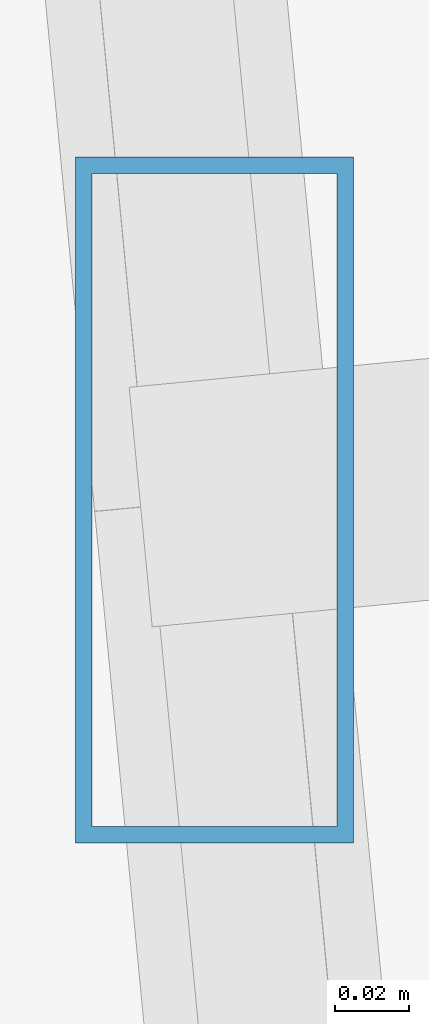
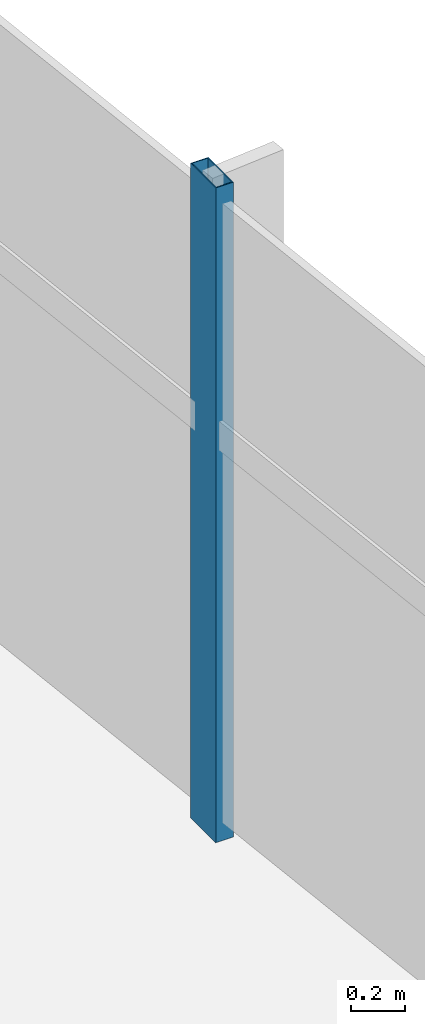
# One storey, part 16 of 27: 1 member, 1 element without a shape of its own.
"""IFC4 building model written with IfcOpenShell, lengths in metres."""

from ifc_helpers import new_model, si_unit, direction, frame, origin, origin_2d, place, context, subcontext, project, spatial, hollow_rectangle, extrude, source, transform, mapped, material, material_profile, profile_set, type_object, type_shapes, element, aggregate, save


model = new_model("IFC4")

# Units and contexts
model_context = context("Model", 3, precision=1e-05, world=origin(), true_north=direction((0.0, 1.0)))
body_context = subcontext(model_context, "Body", "Model", "MODEL_VIEW")
ifc_project = project(units=[si_unit("LENGTHUNIT", "METRE"), si_unit("AREAUNIT", "SQUARE_METRE"), si_unit("VOLUMEUNIT", "CUBIC_METRE"), si_unit("PLANEANGLEUNIT", "RADIAN"), si_unit("MASSUNIT", "GRAM", prefix="KILO")], contexts=[model_context])

# Site, building, storey
site_placement = place(None, origin())
site = spatial("IfcSite", under=ifc_project, at=site_placement, CompositionType="ELEMENT")
building_placement = place(site_placement, origin())
building = spatial("IfcBuilding", under=site, at=building_placement, Name="Astriad Promenade Condominiums", CompositionType="ELEMENT")
storey_placement = place(building_placement, frame((0.0, 0.0, 87.39990234375)))
storey = spatial("IfcBuildingStorey", under=building, at=storey_placement, Name="L24", CompositionType="ELEMENT", Elevation=87.39990234375)

# Curtain wall, member
ifc_material_1 = material(Name="Anodised aluminium Black Dark Glass Unitised", Category="aluminium")
curtain_wall_type = type_object("IfcCurtainWallType", Name="CW-B2-DARK", PredefinedType="USERDEFINED", material=ifc_material_1)
curtain_wall_placement = place(storey_placement, origin())
curtain_wall = element("IfcCurtainWall", 1, at=curtain_wall_placement, inside=storey, type_object=curtain_wall_type, Name="CW-L24-E", ObjectType="UNITISED_CURTAIN_WALL", PredefinedType="USERDEFINED")
ifc_material_2 = material(Name="Anodised aluminium 6063-T6 Black", Category="aluminium")
ifc_material_profile = material_profile(ifc_material_2, hollow_rectangle(XDim=0.074951171875, YDim=0.18505859375, WallThickness=0.00439453125, at=origin_2d()), Name="ALU-MUL-75X185")
ifc_profile_set = profile_set([ifc_material_profile], Name="Anodised aluminium 6063-T6 Black")
member_type = type_object("IfcMemberType", Name="MUL-ALU-MUL-75X185", PredefinedType="MULLION", material=ifc_profile_set)
shared_shape = source(origin(), body_context, "Body", "SweptSolid", [
    extrude(hollow_rectangle(XDim=0.074951171875, YDim=0.18505859375, WallThickness=0.00439453125, at=origin_2d()), origin(), (0.0, 0.0, 1.0), 2.940185546875),
])
type_shapes(member_type, [shared_shape])
member_placement = place(storey_placement, frame((68.972900390625, 16.6552734375, 0.0), z_axis=(0.0, 0.0, 1.0), x_axis=(1.0, 0.0, 0.0)))
member = element("IfcMember", 2, at=member_placement, type_object=member_type, Name="CW-L24-E-MUL-02", PredefinedType="MULLION", context=body_context, shape_type="MappedRepresentation", body=[
    mapped(shared_shape, transform((0.0, 0.0, 0.0), scale=1.0)),
])
aggregate(curtain_wall, [member])

save(model, "model.ifc")
